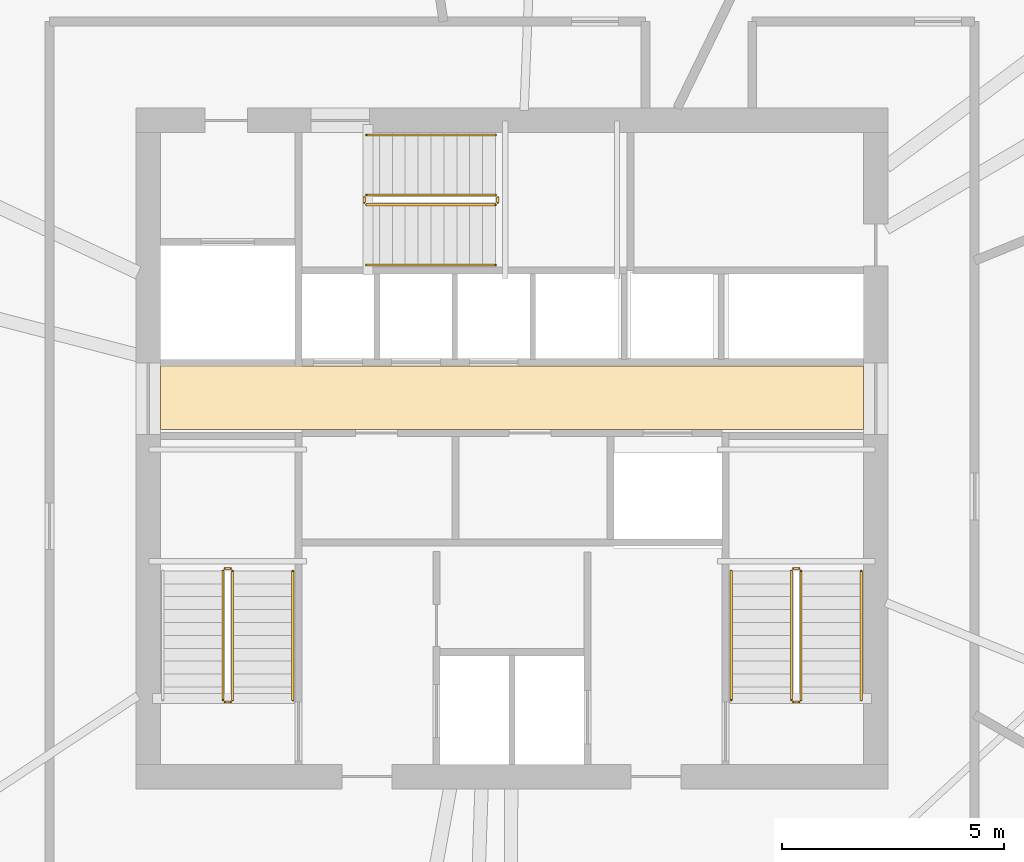
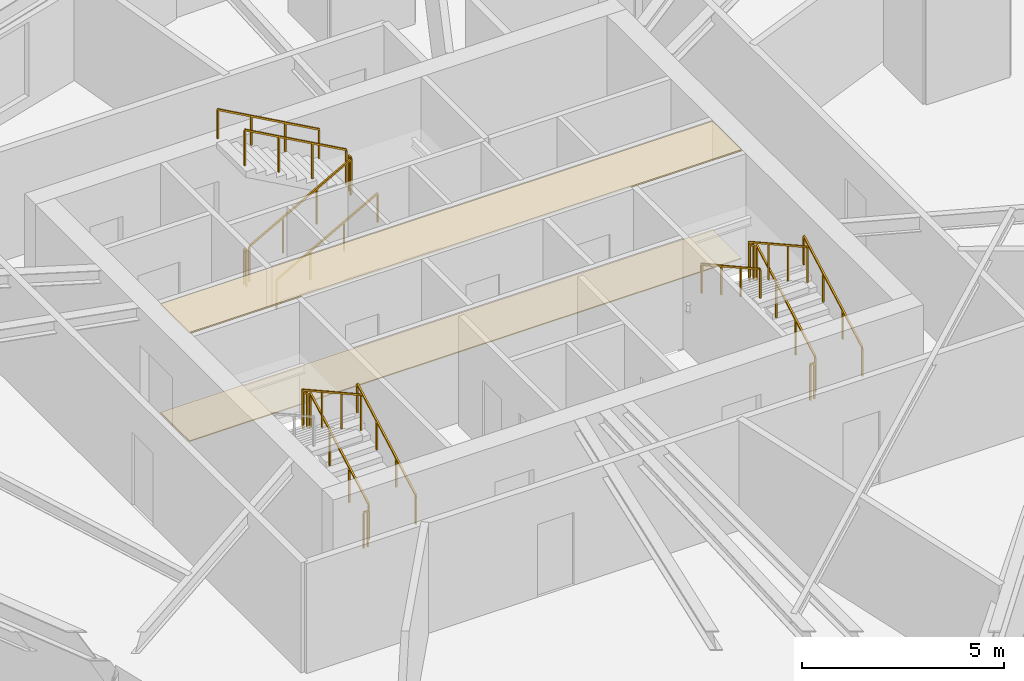
# One storey, part 12 of 13: 17 railings, 2 coverings.
"""IFC4 building model written with IfcOpenShell, lengths in metres."""

from ifc_helpers import new_model, si_unit, direction, frame, origin, origin_2d, place, context, subcontext, project, spatial, polyline, rectangle, outline, extrude, material, layer, layer_set, type_object, element, save


model = new_model("IFC4")

# Units and contexts
model_context = context("Model", 3, precision=1e-05, world=origin(), true_north=direction((0.0, 1.0)))
body_context = subcontext(model_context, "Body", "Model", "MODEL_VIEW")
ifc_project = project(units=[si_unit("LENGTHUNIT", "METRE"), si_unit("AREAUNIT", "SQUARE_METRE"), si_unit("VOLUMEUNIT", "CUBIC_METRE"), si_unit("PLANEANGLEUNIT", "RADIAN"), si_unit("MASSUNIT", "GRAM", prefix="KILO")], contexts=[model_context])

# Site, building, storey
site_placement = place(None, origin())
site = spatial("IfcSite", under=ifc_project, at=site_placement, CompositionType="ELEMENT")
building_placement = place(site_placement, origin())
building = spatial("IfcBuilding", under=site, at=building_placement, Name="Olszyna Solenne Hotel", CompositionType="ELEMENT")
storey_placement = place(building_placement, frame((0.0, 0.0, 167.89990234375)))
storey = spatial("IfcBuildingStorey", under=building, at=storey_placement, Name="L44", CompositionType="ELEMENT", Elevation=167.89990234375)

# Coverings
ifc_material_1 = material(Name="Mineral wool acoustic ceiling")
ifc_layer_1 = layer(ifc_material_1, 0.0400390625, Name="Mineral wool acoustic ceiling")
ifc_layer_set_1 = layer_set([ifc_layer_1], Name="Mineral wool acoustic ceiling")
covering_type_1 = type_object("IfcCoveringType", Name="CL-AC1", PredefinedType="CEILING", material=ifc_layer_set_1)
covering_1_placement = place(storey_placement, frame((0.0, 0.0, 3.27001953125)))
element("IfcCovering", 1, at=covering_1_placement, inside=storey, type_object=covering_type_1, Name="Lift lobby acoustic tile ceiling CL-L44-01", PredefinedType="CEILING", context=body_context, shape_type="SweptSolid", body=[
    extrude(outline(polyline([(30.10009765625, 27.030029296875), (45.89990234375, 27.030029296875), (45.89990234375, 28.4599609375), (30.10009765625, 28.4599609375), (30.10009765625, 27.030029296875)])), origin(), (0.0, 0.0, 1.0), 0.0400390625),
])
ifc_material_2 = material(Name="Ceramic floor tile")
ifc_layer_2 = layer(ifc_material_2, 0.030029296875, Name="Ceramic floor tile")
ifc_layer_set_2 = layer_set([ifc_layer_2], Name="Ceramic floor tile")
covering_type_2 = type_object("IfcCoveringType", Name="FL-TL1", PredefinedType="FLOORING", material=ifc_layer_set_2)
covering_2_placement = place(storey_placement, origin())
element("IfcCovering", 2, at=covering_2_placement, inside=storey, type_object=covering_type_2, Name="Lift lobby stoneware floor finish FLR-L44-01", PredefinedType="FLOORING", context=body_context, shape_type="SweptSolid", body=[
    extrude(outline(polyline([(30.10009765625, 27.030029296875), (45.89990234375, 27.030029296875), (45.89990234375, 28.4599609375), (30.10009765625, 28.4599609375), (30.10009765625, 27.030029296875)])), origin(), (0.0, 0.0, 1.0), 0.030029296875),
])

# Railings
ifc_material_3 = material(Name="Anodised bronze aluminium", Category="aluminium")
railing_type_1 = type_object("IfcRailingType", Name="GR-110", PredefinedType="BALUSTRADE", material=ifc_material_3)
railing_1_placement = place(storey_placement, frame((31.719970703125, 20.949951171875, 0.161376953125)))
element("IfcRailing", 3, at=railing_1_placement, inside=storey, type_object=railing_type_1, Name="L44 ST1 stair guard 1", PredefinedType="BALUSTRADE", context=body_context, shape_type="SweptSolid", body=[
    extrude(rectangle(XDim=0.048095703125, YDim=0.048095703125, at=origin_2d()), frame((0.0, 0.0, 1.076171875), z_axis=(0.0, 0.873827439584, 0.48623616261), x_axis=(-1.0, 0.0, 0.0)), (0.0, 0.0, 1.0), 3.31884765625),
    extrude(rectangle(XDim=0.0419921875, YDim=0.0419921875, at=origin_2d()), origin(), (0.0, 0.0, 1.0), 1.052001953125),
    extrude(rectangle(XDim=0.0419921875, YDim=0.0419921875, at=origin_2d()), frame((0.0, 0.966796875, 0.537841796875)), (0.0, 0.0, 1.0), 1.052001953125),
    extrude(rectangle(XDim=0.0419921875, YDim=0.0419921875, at=origin_2d()), frame((0.0, 1.933349609375, 1.075927734375)), (0.0, 0.0, 1.0), 1.052001953125),
    extrude(rectangle(XDim=0.0419921875, YDim=0.0419921875, at=origin_2d()), frame((0.0, 2.900146484375, 1.61376953125)), (0.0, 0.0, 1.0), 1.052001953125),
])
railing_2_placement = place(storey_placement, frame((31.669921875, 23.89990234375, 1.775146484375)))
element("IfcRailing", 4, at=railing_2_placement, inside=storey, type_object=railing_type_1, Name="L44 ST1 stair guard 2", PredefinedType="BALUSTRADE", context=body_context, shape_type="SweptSolid", body=[
    extrude(rectangle(XDim=0.048095703125, YDim=0.048095703125, at=origin_2d()), frame((0.0, 0.0, 1.076171875), z_axis=(-1.0, 0.0, 0.0), x_axis=(0.0, -1.0, 0.0)), (0.0, 0.0, 1.0), 0.119873046875),
    extrude(rectangle(XDim=0.0419921875, YDim=0.0419921875, at=origin_2d()), origin(), (0.0, 0.0, 1.0), 1.052001953125),
    extrude(rectangle(XDim=0.0419921875, YDim=0.0419921875, at=origin_2d()), frame((-0.119873046875, 0.0, 0.0)), (0.0, 0.0, 1.0), 1.052001953125),
])
railing_3_placement = place(storey_placement, frame((31.5, 23.85009765625, 1.9365234375)))
element("IfcRailing", 5, at=railing_3_placement, inside=storey, type_object=railing_type_1, Name="L44 ST1 stair guard 3", PredefinedType="BALUSTRADE", context=body_context, shape_type="SweptSolid", body=[
    extrude(rectangle(XDim=0.048095703125, YDim=0.048095703125, at=origin_2d()), frame((0.0, 0.0, 1.076171875), z_axis=(0.0, -0.873858693841, 0.486179990537), x_axis=(1.0, 0.0, 0.0)), (0.0, 0.0, 1.0), 3.31884765625),
    extrude(rectangle(XDim=0.0419921875, YDim=0.0419921875, at=origin_2d()), origin(), (0.0, 0.0, 1.0), 1.052001953125),
    extrude(rectangle(XDim=0.0419921875, YDim=0.0419921875, at=origin_2d()), frame((0.0, -0.966796875, 0.537841796875)), (0.0, 0.0, 1.0), 1.052001953125),
    extrude(rectangle(XDim=0.0419921875, YDim=0.0419921875, at=origin_2d()), frame((0.0, -1.933349609375, 1.07568359375)), (0.0, 0.0, 1.0), 1.052001953125),
    extrude(rectangle(XDim=0.0419921875, YDim=0.0419921875, at=origin_2d()), frame((0.0, -2.900146484375, 1.613525390625)), (0.0, 0.0, 1.0), 1.052001953125),
])
railing_4_placement = place(storey_placement, frame((31.669921875, 20.89990234375, 0.0)))
element("IfcRailing", 6, at=railing_4_placement, inside=storey, type_object=railing_type_1, Name="L44 ST1 stair guard 4", PredefinedType="BALUSTRADE", context=body_context, shape_type="SweptSolid", body=[
    extrude(rectangle(XDim=0.048095703125, YDim=0.048095703125, at=origin_2d()), frame((0.0, 0.0, 1.076171875), z_axis=(-1.0, 0.0, 0.0), x_axis=(0.0, -1.0, 0.0)), (0.0, 0.0, 1.0), 0.119873046875),
    extrude(rectangle(XDim=0.0419921875, YDim=0.0419921875, at=origin_2d()), origin(), (0.0, 0.0, 1.0), 1.052001953125),
    extrude(rectangle(XDim=0.0419921875, YDim=0.0419921875, at=origin_2d()), frame((-0.119873046875, 0.0, 0.0)), (0.0, 0.0, 1.0), 1.052001953125),
])
railing_5_placement = place(storey_placement, frame((44.5, 20.949951171875, 0.161376953125)))
element("IfcRailing", 7, at=railing_5_placement, inside=storey, type_object=railing_type_1, Name="L44 ST2 stair guard 1", PredefinedType="BALUSTRADE", context=body_context, shape_type="SweptSolid", body=[
    extrude(rectangle(XDim=0.048095703125, YDim=0.048095703125, at=origin_2d()), frame((0.0, 0.0, 1.076171875), z_axis=(0.0, 0.873827439584, 0.48623616261), x_axis=(-1.0, 0.0, 0.0)), (0.0, 0.0, 1.0), 3.31884765625),
    extrude(rectangle(XDim=0.0419921875, YDim=0.0419921875, at=origin_2d()), origin(), (0.0, 0.0, 1.0), 1.052001953125),
    extrude(rectangle(XDim=0.0419921875, YDim=0.0419921875, at=origin_2d()), frame((0.0, 0.966796875, 0.537841796875)), (0.0, 0.0, 1.0), 1.052001953125),
    extrude(rectangle(XDim=0.0419921875, YDim=0.0419921875, at=origin_2d()), frame((0.0, 1.933349609375, 1.075927734375)), (0.0, 0.0, 1.0), 1.052001953125),
    extrude(rectangle(XDim=0.0419921875, YDim=0.0419921875, at=origin_2d()), frame((0.0, 2.900146484375, 1.61376953125)), (0.0, 0.0, 1.0), 1.052001953125),
])
railing_6_placement = place(storey_placement, frame((44.449951171875, 23.89990234375, 1.775146484375)))
element("IfcRailing", 8, at=railing_6_placement, inside=storey, type_object=railing_type_1, Name="L44 ST2 stair guard 2", PredefinedType="BALUSTRADE", context=body_context, shape_type="SweptSolid", body=[
    extrude(rectangle(XDim=0.048095703125, YDim=0.048095703125, at=origin_2d()), frame((0.0, 0.0, 1.076171875), z_axis=(-1.0, 0.0, 0.0), x_axis=(0.0, -1.0, 0.0)), (0.0, 0.0, 1.0), 0.119873046875),
    extrude(rectangle(XDim=0.0419921875, YDim=0.0419921875, at=origin_2d()), origin(), (0.0, 0.0, 1.0), 1.052001953125),
    extrude(rectangle(XDim=0.0419921875, YDim=0.0419921875, at=origin_2d()), frame((-0.119873046875, 0.0, 0.0)), (0.0, 0.0, 1.0), 1.052001953125),
])
railing_7_placement = place(storey_placement, frame((44.280029296875, 23.85009765625, 1.9365234375)))
element("IfcRailing", 9, at=railing_7_placement, inside=storey, type_object=railing_type_1, Name="L44 ST2 stair guard 3", PredefinedType="BALUSTRADE", context=body_context, shape_type="SweptSolid", body=[
    extrude(rectangle(XDim=0.048095703125, YDim=0.048095703125, at=origin_2d()), frame((0.0, 0.0, 1.076171875), z_axis=(0.0, -0.873858693841, 0.486179990537), x_axis=(1.0, 0.0, 0.0)), (0.0, 0.0, 1.0), 3.31884765625),
    extrude(rectangle(XDim=0.0419921875, YDim=0.0419921875, at=origin_2d()), origin(), (0.0, 0.0, 1.0), 1.052001953125),
    extrude(rectangle(XDim=0.0419921875, YDim=0.0419921875, at=origin_2d()), frame((0.0, -0.966796875, 0.537841796875)), (0.0, 0.0, 1.0), 1.052001953125),
    extrude(rectangle(XDim=0.0419921875, YDim=0.0419921875, at=origin_2d()), frame((0.0, -1.933349609375, 1.07568359375)), (0.0, 0.0, 1.0), 1.052001953125),
    extrude(rectangle(XDim=0.0419921875, YDim=0.0419921875, at=origin_2d()), frame((0.0, -2.900146484375, 1.613525390625)), (0.0, 0.0, 1.0), 1.052001953125),
])
railing_8_placement = place(storey_placement, frame((44.449951171875, 20.89990234375, 0.0)))
element("IfcRailing", 10, at=railing_8_placement, inside=storey, type_object=railing_type_1, Name="L44 ST2 stair guard 4", PredefinedType="BALUSTRADE", context=body_context, shape_type="SweptSolid", body=[
    extrude(rectangle(XDim=0.048095703125, YDim=0.048095703125, at=origin_2d()), frame((0.0, 0.0, 1.076171875), z_axis=(-1.0, 0.0, 0.0), x_axis=(0.0, -1.0, 0.0)), (0.0, 0.0, 1.0), 0.119873046875),
    extrude(rectangle(XDim=0.0419921875, YDim=0.0419921875, at=origin_2d()), origin(), (0.0, 0.0, 1.0), 1.052001953125),
    extrude(rectangle(XDim=0.0419921875, YDim=0.0419921875, at=origin_2d()), frame((-0.119873046875, 0.0, 0.0)), (0.0, 0.0, 1.0), 1.052001953125),
])
railing_9_placement = place(storey_placement, frame((34.72998046875, 32.080078125, 0.161376953125)))
element("IfcRailing", 11, at=railing_9_placement, inside=storey, type_object=railing_type_1, Name="L44 ST3 stair guard 1", PredefinedType="BALUSTRADE", context=body_context, shape_type="SweptSolid", body=[
    extrude(rectangle(XDim=0.048095703125, YDim=0.048095703125, at=origin_2d()), frame((0.0, 0.0, 1.076171875), z_axis=(0.873810046276, 0.0, 0.486267419253), x_axis=(0.0, 1.0, 0.0)), (0.0, 0.0, 1.0), 3.318603515625),
    extrude(rectangle(XDim=0.0419921875, YDim=0.0419921875, at=origin_2d()), origin(), (0.0, 0.0, 1.0), 1.052001953125),
    extrude(rectangle(XDim=0.0419921875, YDim=0.0419921875, at=origin_2d()), frame((0.966552734375, 0.0, 0.537841796875)), (0.0, 0.0, 1.0), 1.052001953125),
    extrude(rectangle(XDim=0.0419921875, YDim=0.0419921875, at=origin_2d()), frame((1.933349609375, 0.0, 1.075927734375)), (0.0, 0.0, 1.0), 1.052001953125),
    extrude(rectangle(XDim=0.0419921875, YDim=0.0419921875, at=origin_2d()), frame((2.89990234375, 0.0, 1.61376953125)), (0.0, 0.0, 1.0), 1.052001953125),
])
railing_10_placement = place(storey_placement, frame((37.679931640625, 32.1298828125, 1.775146484375)))
element("IfcRailing", 12, at=railing_10_placement, inside=storey, type_object=railing_type_1, Name="L44 ST3 stair guard 2", PredefinedType="BALUSTRADE", context=body_context, shape_type="SweptSolid", body=[
    extrude(rectangle(XDim=0.048095703125, YDim=0.048095703125, at=origin_2d()), frame((0.0, 0.0, 1.076171875), z_axis=(0.0, 1.0, 0.0), x_axis=(-1.0, 0.0, 0.0)), (0.0, 0.0, 1.0), 0.1201171875),
    extrude(rectangle(XDim=0.0419921875, YDim=0.0419921875, at=origin_2d()), origin(), (0.0, 0.0, 1.0), 1.052001953125),
    extrude(rectangle(XDim=0.0419921875, YDim=0.0419921875, at=origin_2d()), frame((0.0, 0.1201171875, 0.0)), (0.0, 0.0, 1.0), 1.052001953125),
])
railing_11_placement = place(storey_placement, frame((37.6298828125, 32.300048828125, 1.9365234375)))
element("IfcRailing", 13, at=railing_11_placement, inside=storey, type_object=railing_type_1, Name="L44 ST3 stair guard 3", PredefinedType="BALUSTRADE", context=body_context, shape_type="SweptSolid", body=[
    extrude(rectangle(XDim=0.048095703125, YDim=0.048095703125, at=origin_2d()), frame((0.0, 0.0, 1.076171875), z_axis=(-0.873841303929, 0.0, 0.486211245805), x_axis=(0.0, -1.0, 0.0)), (0.0, 0.0, 1.0), 3.318603515625),
    extrude(rectangle(XDim=0.0419921875, YDim=0.0419921875, at=origin_2d()), origin(), (0.0, 0.0, 1.0), 1.052001953125),
    extrude(rectangle(XDim=0.0419921875, YDim=0.0419921875, at=origin_2d()), frame((-0.966552734375, 0.0, 0.537841796875)), (0.0, 0.0, 1.0), 1.052001953125),
    extrude(rectangle(XDim=0.0419921875, YDim=0.0419921875, at=origin_2d()), frame((-1.933349609375, 0.0, 1.07568359375)), (0.0, 0.0, 1.0), 1.052001953125),
    extrude(rectangle(XDim=0.0419921875, YDim=0.0419921875, at=origin_2d()), frame((-2.89990234375, 0.0, 1.613525390625)), (0.0, 0.0, 1.0), 1.052001953125),
])
railing_12_placement = place(storey_placement, frame((34.679931640625, 32.1298828125, 0.0)))
element("IfcRailing", 14, at=railing_12_placement, inside=storey, type_object=railing_type_1, Name="L44 ST3 stair guard 4", PredefinedType="BALUSTRADE", context=body_context, shape_type="SweptSolid", body=[
    extrude(rectangle(XDim=0.048095703125, YDim=0.048095703125, at=origin_2d()), frame((0.0, 0.0, 1.076171875), z_axis=(0.0, 1.0, 0.0), x_axis=(-1.0, 0.0, 0.0)), (0.0, 0.0, 1.0), 0.1201171875),
    extrude(rectangle(XDim=0.0419921875, YDim=0.0419921875, at=origin_2d()), origin(), (0.0, 0.0, 1.0), 1.052001953125),
    extrude(rectangle(XDim=0.0419921875, YDim=0.0419921875, at=origin_2d()), frame((0.0, 0.1201171875, 0.0)), (0.0, 0.0, 1.0), 1.052001953125),
])
ifc_material_4 = material(Name="Steel S355J2", Category="steel")
railing_type_2 = type_object("IfcRailingType", Name="HR-090", PredefinedType="HANDRAIL", material=ifc_material_4)
for number, where, name in (
    (15, (33.070068359375, 20.949951171875, 0.161376953125), "L44 ST1 stair handrail 1"),
    (16, (45.85009765625, 20.949951171875, 0.161376953125), "L44 ST2 stair handrail 1"),
):
    element("IfcRailing", number, at=place(storey_placement, frame(where)), inside=storey, type_object=railing_type_2, Name=name, PredefinedType="HANDRAIL", context=body_context, shape_type="SweptSolid", body=[
        extrude(rectangle(XDim=0.048095703125, YDim=0.048095703125, at=origin_2d()), frame((0.0, 0.0, 0.8759765625), z_axis=(0.0, 0.873827439584, 0.48623616261), x_axis=(-1.0, 0.0, 0.0)), (0.0, 0.0, 1.0), 3.31884765625),
        extrude(rectangle(XDim=0.0419921875, YDim=0.0419921875, at=origin_2d()), origin(), (0.0, 0.0, 1.0), 0.851806640625),
        extrude(rectangle(XDim=0.0419921875, YDim=0.0419921875, at=origin_2d()), frame((0.0, 0.966796875, 0.537841796875)), (0.0, 0.0, 1.0), 0.851806640625),
        extrude(rectangle(XDim=0.0419921875, YDim=0.0419921875, at=origin_2d()), frame((0.0, 1.933349609375, 1.075927734375)), (0.0, 0.0, 1.0), 0.851806640625),
        extrude(rectangle(XDim=0.0419921875, YDim=0.0419921875, at=origin_2d()), frame((0.0, 2.900146484375, 1.61376953125)), (0.0, 0.0, 1.0), 0.851806640625),
    ])
railing_13_placement = place(storey_placement, frame((42.929931640625, 23.85009765625, 1.9365234375)))
element("IfcRailing", 17, at=railing_13_placement, inside=storey, type_object=railing_type_2, Name="L44 ST2 stair handrail 2", PredefinedType="HANDRAIL", context=body_context, shape_type="SweptSolid", body=[
    extrude(rectangle(XDim=0.048095703125, YDim=0.048095703125, at=origin_2d()), frame((0.0, 0.0, 0.8759765625), z_axis=(0.0, -0.873858693841, 0.486179990537), x_axis=(1.0, 0.0, 0.0)), (0.0, 0.0, 1.0), 3.31884765625),
    extrude(rectangle(XDim=0.0419921875, YDim=0.0419921875, at=origin_2d()), origin(), (0.0, 0.0, 1.0), 0.851806640625),
    extrude(rectangle(XDim=0.0419921875, YDim=0.0419921875, at=origin_2d()), frame((0.0, -0.966796875, 0.537841796875)), (0.0, 0.0, 1.0), 0.851806640625),
    extrude(rectangle(XDim=0.0419921875, YDim=0.0419921875, at=origin_2d()), frame((0.0, -1.933349609375, 1.07568359375)), (0.0, 0.0, 1.0), 0.851806640625),
    extrude(rectangle(XDim=0.0419921875, YDim=0.0419921875, at=origin_2d()), frame((0.0, -2.900146484375, 1.613525390625)), (0.0, 0.0, 1.0), 0.851806640625),
])
railing_14_placement = place(storey_placement, frame((34.72998046875, 30.72998046875, 0.161376953125)))
element("IfcRailing", 18, at=railing_14_placement, inside=storey, type_object=railing_type_2, Name="L44 ST3 stair handrail 1", PredefinedType="HANDRAIL", context=body_context, shape_type="SweptSolid", body=[
    extrude(rectangle(XDim=0.048095703125, YDim=0.048095703125, at=origin_2d()), frame((0.0, 0.0, 0.8759765625), z_axis=(0.873810046276, 0.0, 0.486267419253), x_axis=(0.0, 1.0, 0.0)), (0.0, 0.0, 1.0), 3.318603515625),
    extrude(rectangle(XDim=0.0419921875, YDim=0.0419921875, at=origin_2d()), origin(), (0.0, 0.0, 1.0), 0.851806640625),
    extrude(rectangle(XDim=0.0419921875, YDim=0.0419921875, at=origin_2d()), frame((0.966552734375, 0.0, 0.537841796875)), (0.0, 0.0, 1.0), 0.851806640625),
    extrude(rectangle(XDim=0.0419921875, YDim=0.0419921875, at=origin_2d()), frame((1.933349609375, 0.0, 1.075927734375)), (0.0, 0.0, 1.0), 0.851806640625),
    extrude(rectangle(XDim=0.0419921875, YDim=0.0419921875, at=origin_2d()), frame((2.89990234375, 0.0, 1.61376953125)), (0.0, 0.0, 1.0), 0.851806640625),
])
railing_15_placement = place(storey_placement, frame((37.6298828125, 33.64990234375, 1.9365234375)))
element("IfcRailing", 19, at=railing_15_placement, inside=storey, type_object=railing_type_2, Name="L44 ST3 stair handrail 2", PredefinedType="HANDRAIL", context=body_context, shape_type="SweptSolid", body=[
    extrude(rectangle(XDim=0.048095703125, YDim=0.048095703125, at=origin_2d()), frame((0.0, 0.0, 0.8759765625), z_axis=(-0.873841303929, 0.0, 0.486211245805), x_axis=(0.0, -1.0, 0.0)), (0.0, 0.0, 1.0), 3.318603515625),
    extrude(rectangle(XDim=0.0419921875, YDim=0.0419921875, at=origin_2d()), origin(), (0.0, 0.0, 1.0), 0.851806640625),
    extrude(rectangle(XDim=0.0419921875, YDim=0.0419921875, at=origin_2d()), frame((-0.966552734375, 0.0, 0.537841796875)), (0.0, 0.0, 1.0), 0.851806640625),
    extrude(rectangle(XDim=0.0419921875, YDim=0.0419921875, at=origin_2d()), frame((-1.933349609375, 0.0, 1.07568359375)), (0.0, 0.0, 1.0), 0.851806640625),
    extrude(rectangle(XDim=0.0419921875, YDim=0.0419921875, at=origin_2d()), frame((-2.89990234375, 0.0, 1.613525390625)), (0.0, 0.0, 1.0), 0.851806640625),
])

save(model, "model.ifc")
